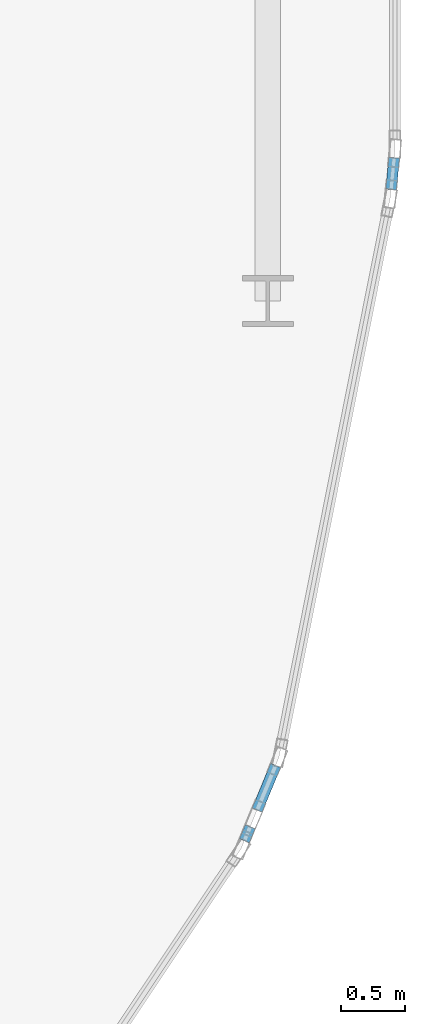
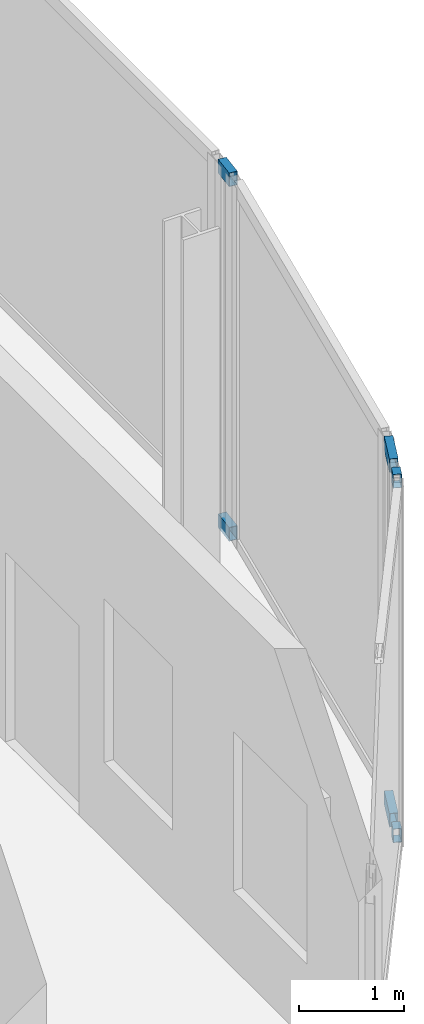
# One storey, part 21 of 30: 6 members, 3 elements without a shape of their own.
"""IFC4 building model written with IfcOpenShell, lengths in metres."""

from ifc_helpers import new_model, si_unit, direction, frame, origin, origin_2d, place, context, subcontext, project, spatial, hollow_rectangle, extrude, material, layer, layer_set, material_profile, profile_set, type_object, element, aggregate, save


model = new_model("IFC4")

# Units and contexts
model_context = context("Model", 3, precision=1e-05, world=origin(), true_north=direction((0.0, 1.0)))
body_context = subcontext(model_context, "Body", "Model", "MODEL_VIEW")
ifc_project = project(units=[si_unit("LENGTHUNIT", "METRE"), si_unit("AREAUNIT", "SQUARE_METRE"), si_unit("VOLUMEUNIT", "CUBIC_METRE"), si_unit("PLANEANGLEUNIT", "RADIAN"), si_unit("MASSUNIT", "GRAM", prefix="KILO")], contexts=[model_context])

# Site, building, storey
site_placement = place(None, origin())
site = spatial("IfcSite", under=ifc_project, at=site_placement, CompositionType="ELEMENT")
building_placement = place(site_placement, origin())
building = spatial("IfcBuilding", under=site, at=building_placement, Name="Keshet Zoharim Tower", CompositionType="ELEMENT")
storey_placement = place(building_placement, frame((0.0, 0.0, 65.60009765625)))
storey = spatial("IfcBuildingStorey", under=building, at=storey_placement, Name="L15", CompositionType="ELEMENT", Elevation=65.60009765625)

# Curtain wall, members
ifc_material = material(Name="Aluminium 6063-T6", Category="aluminium")
ifc_layer_1 = layer(ifc_material, 0.169921875)
ifc_layer_set_1 = layer_set([ifc_layer_1], Name="Aluminium 6063-T6")
curtain_wall_type_1 = type_object("IfcCurtainWallType", Name="CW-SYS-02", PredefinedType="NOTDEFINED", material=ifc_layer_set_1)
curtain_wall_1_placement = place(storey_placement, origin())
curtain_wall_1 = element("IfcCurtainWall", 1, at=curtain_wall_1_placement, inside=storey, type_object=curtain_wall_type_1, Name="L15 Unitised Curtain Wall 14", PredefinedType="NOTDEFINED")
ifc_material_profile = material_profile(ifc_material, hollow_rectangle(XDim=0.0849609375, YDim=0.159912109375, WallThickness=0.00439453125, at=origin_2d()), Name="TRN-85x160")
ifc_profile_set = profile_set([ifc_material_profile], Name="Aluminium 6063-T6")
member_type = type_object("IfcMemberType", Name="CWT-T16", PredefinedType="USERDEFINED", material=ifc_profile_set)
member_1_placement = place(storey_placement, frame((69.9931640625, 13.827392578125, 0.034912109375), z_axis=(-0.096912647607, -0.995292890929, 0.0), x_axis=(0.995292890929, -0.096912647607, 0.0)))
member_1 = element("IfcMember", 2, at=member_1_placement, type_object=member_type, Name="CW-02 transom 1.1", ObjectType="TRANSOM", PredefinedType="USERDEFINED", context=body_context, shape_type="SweptSolid", body=[
    extrude(hollow_rectangle(XDim=0.0849609375, YDim=0.159912109375, WallThickness=0.00439453125, at=origin_2d()), origin(), (0.0, 0.0, 1.0), 0.251953125),
])
member_2_placement = place(storey_placement, frame((69.9931640625, 13.827392578125, 4.14990234375), z_axis=(-0.096912647607, -0.995292890929, 0.0), x_axis=(0.995292890929, -0.096912647607, 0.0)))
member_2 = element("IfcMember", 3, at=member_2_placement, type_object=member_type, Name="CW-02 transom 1.2", ObjectType="TRANSOM", PredefinedType="USERDEFINED", context=body_context, shape_type="SweptSolid", body=[
    extrude(hollow_rectangle(XDim=0.0849609375, YDim=0.159912109375, WallThickness=0.00439453125, at=origin_2d()), origin(), (0.0, 0.0, 1.0), 0.251953125),
])
aggregate(curtain_wall_1, [member_1, member_2])

ifc_layer_2 = layer(ifc_material, 0.179931640625)
ifc_layer_set_2 = layer_set([ifc_layer_2], Name="Aluminium 6063-T6")
curtain_wall_type_2 = type_object("IfcCurtainWallType", Name="CW-SYS-01", PredefinedType="NOTDEFINED", material=ifc_layer_set_2)
curtain_wall_2_placement = place(storey_placement, origin())
curtain_wall_2 = element("IfcCurtainWall", 4, at=curtain_wall_2_placement, inside=storey, type_object=curtain_wall_type_2, Name="L15 Unitised Curtain Wall 16", PredefinedType="NOTDEFINED")
member_3_placement = place(storey_placement, frame((69.061279296875, 9.05029296875, 0.034912109375), z_axis=(-0.382427357103, -0.923985560785, 0.0), x_axis=(0.923985560785, -0.382427357103, 0.0)))
member_3 = element("IfcMember", 5, at=member_3_placement, type_object=member_type, Name="CW-01 transom 1.1", ObjectType="TRANSOM", PredefinedType="USERDEFINED", context=body_context, shape_type="SweptSolid", body=[
    extrude(hollow_rectangle(XDim=0.0849609375, YDim=0.159912109375, WallThickness=0.00439453125, at=origin_2d()), origin(), (0.0, 0.0, 1.0), 0.38037109375),
])
member_4_placement = place(storey_placement, frame((69.061279296875, 9.05029296875, 4.14990234375), z_axis=(-0.382427357103, -0.923985560785, 0.0), x_axis=(0.923985560785, -0.382427357103, 0.0)))
member_4 = element("IfcMember", 6, at=member_4_placement, type_object=member_type, Name="CW-01 transom 1.2", ObjectType="TRANSOM", PredefinedType="USERDEFINED", context=body_context, shape_type="SweptSolid", body=[
    extrude(hollow_rectangle(XDim=0.0849609375, YDim=0.159912109375, WallThickness=0.00439453125, at=origin_2d()), origin(), (0.0, 0.0, 1.0), 0.38037109375),
])
aggregate(curtain_wall_2, [member_3, member_4])

curtain_wall_3_placement = place(storey_placement, origin())
curtain_wall_3 = element("IfcCurtainWall", 7, at=curtain_wall_3_placement, inside=storey, type_object=curtain_wall_type_2, Name="L15 Unitised Curtain Wall 17", PredefinedType="NOTDEFINED")
member_5_placement = place(storey_placement, frame((68.862060546875, 8.5693359375, 0.034912109375), z_axis=(-0.38432658842, -0.923197201812, 0.0), x_axis=(0.923197201812, -0.38432658842, 0.0)))
member_5 = element("IfcMember", 8, at=member_5_placement, type_object=member_type, Name="CW-01 transom 1.1", ObjectType="TRANSOM", PredefinedType="USERDEFINED", context=body_context, shape_type="SweptSolid", body=[
    extrude(hollow_rectangle(XDim=0.0849609375, YDim=0.159912109375, WallThickness=0.00439453125, at=origin_2d()), origin(), (0.0, 0.0, 1.0), 0.1201171875),
])
member_6_placement = place(storey_placement, frame((68.862060546875, 8.5693359375, 4.14990234375), z_axis=(-0.38432658842, -0.923197201812, 0.0), x_axis=(0.923197201812, -0.38432658842, 0.0)))
member_6 = element("IfcMember", 9, at=member_6_placement, type_object=member_type, Name="CW-01 transom 1.2", ObjectType="TRANSOM", PredefinedType="USERDEFINED", context=body_context, shape_type="SweptSolid", body=[
    extrude(hollow_rectangle(XDim=0.0849609375, YDim=0.159912109375, WallThickness=0.00439453125, at=origin_2d()), origin(), (0.0, 0.0, 1.0), 0.1201171875),
])
aggregate(curtain_wall_3, [member_5, member_6])

save(model, "model.ifc")
